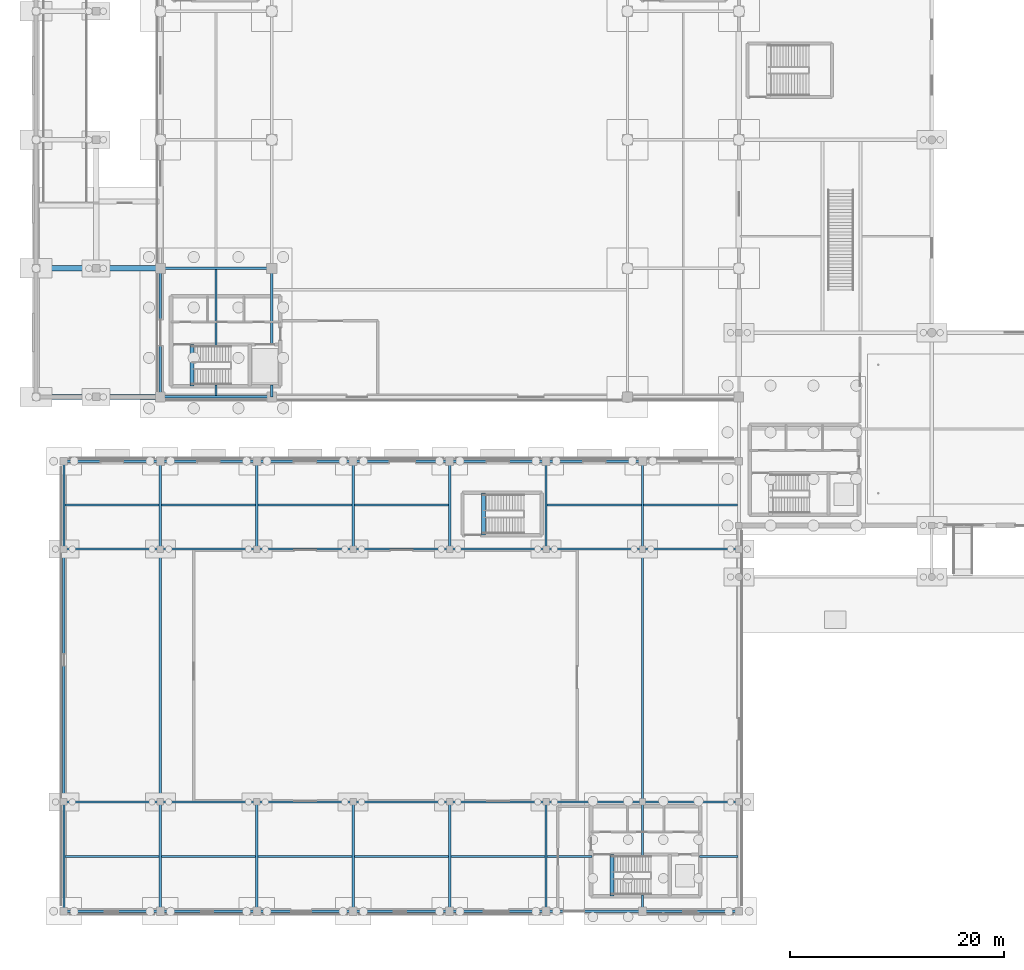
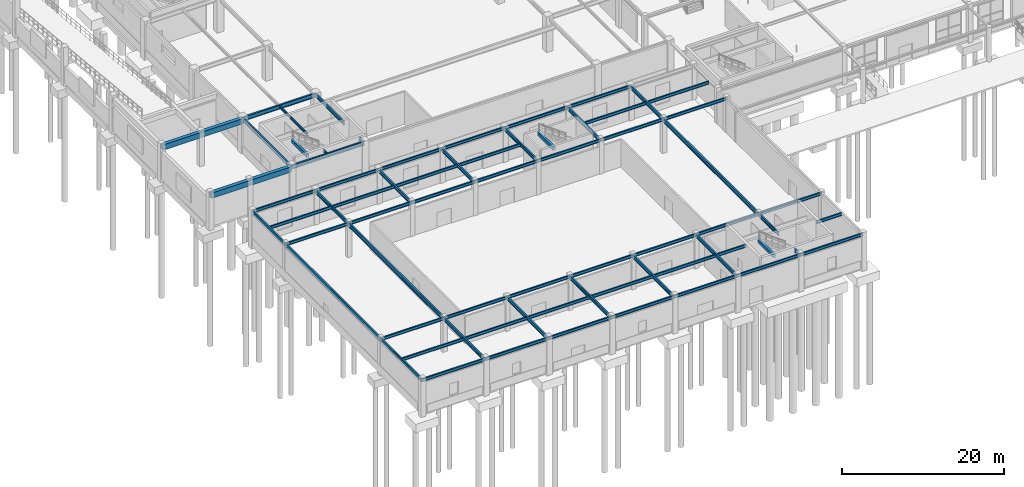
# One storey, part 11 of 53: 70 beams.
"""IFC4 building model written with IfcOpenShell, lengths in metres."""

from ifc_helpers import new_model, si_unit, derived_unit, direction, frame, origin, origin_2d, place, context, subcontext, project, spatial, rectangle, i_section, extrude, material, material_profile, profile_set, type_object, element, save


model = new_model("IFC4")

# Units and contexts
model_context = context("Model", 3, precision=1e-05, world=origin(), true_north=direction((0.0, 1.0)))
body_context = subcontext(model_context, "Body", "Model", "MODEL_VIEW")
ifc_project = project(units=[si_unit("LENGTHUNIT", "METRE"), si_unit("AREAUNIT", "SQUARE_METRE"), si_unit("VOLUMEUNIT", "CUBIC_METRE"), si_unit("PLANEANGLEUNIT", "RADIAN"), si_unit("MASSUNIT", "GRAM", prefix="KILO"), derived_unit("THERMALTRANSMITTANCEUNIT", [(si_unit("POWERUNIT", "WATT"), 1), (si_unit("LENGTHUNIT", "METRE"), -2), (si_unit("THERMODYNAMICTEMPERATUREUNIT", "KELVIN"), -1)])], contexts=[model_context])

# Site, building, storey
site_placement = place(None, origin())
site = spatial("IfcSite", under=ifc_project, at=site_placement, CompositionType="ELEMENT")
building_placement = place(site_placement, origin())
building = spatial("IfcBuilding", under=site, at=building_placement, Name="Almenara Railside Exhibition Hall", CompositionType="ELEMENT")
storey_placement = place(building_placement, origin())
storey = spatial("IfcBuildingStorey", under=building, at=storey_placement, Name="L00", CompositionType="ELEMENT", Elevation=0.0)

# Beams
ifc_material_1 = material(Name="Concrete C35/45", Category="concrete")
ifc_material_profile_1 = material_profile(ifc_material_1, rectangle(XDim=0.5, YDim=0.800048828125, at=origin_2d()), Name="RC 500x800")
ifc_profile_set_1 = profile_set([ifc_material_profile_1], Name="Concrete C35/45")
beam_type_1 = type_object("IfcBeamType", Name="RC Primary Beam 500x800 C35/45", PredefinedType="BEAM", material=ifc_profile_set_1)
for number, where, z_axis, x_axis, name in (
    (1, (0.39990234375, 48.0, 4.6708984375), (1.0, 0.0, 0.0), (0.0, 1.0, 0.0), "Beam 0937"),
    (2, (0.39990234375, 60.0, 4.6708984375), (1.0, 0.0, 0.0), (0.0, 1.0, 0.0), "Beam 0938"),
):
    element("IfcBeam", number, at=place(storey_placement, frame(where, z_axis=z_axis, x_axis=x_axis)), inside=storey, type_object=beam_type_1, Name=name, PredefinedType="BEAM", context=body_context, shape_type="SweptSolid", body=[
        extrude(rectangle(XDim=0.5, YDim=0.800048828125, at=origin_2d()), origin(), (0.0, 0.0, 1.0), 11.60009765625),
    ])
ifc_material_profile_2 = material_profile(ifc_material_1, rectangle(XDim=0.35009765625, YDim=0.5, at=origin_2d()), Name="RC 350x500")
ifc_profile_set_2 = profile_set([ifc_material_profile_2], Name="Concrete C35/45")
beam_type_2 = type_object("IfcBeamType", Name="RC Spandrel Tie Beam 350x500 C35/45", PredefinedType="SPANDREL", material=ifc_profile_set_2)
beam_1_placement = place(storey_placement, frame((14.949951171875, 49.0, 4.889892578125), z_axis=(0.0, 1.0, 0.0), x_axis=(-1.0, 0.0, 0.0)))
element("IfcBeam", 3, at=beam_1_placement, inside=storey, type_object=beam_type_2, Name="Stair trimmer ST-C1-L00", PredefinedType="SPANDREL", context=body_context, shape_type="SweptSolid", body=[
    extrude(rectangle(XDim=0.35009765625, YDim=0.5, at=origin_2d()), origin(), (0.0, 0.0, 1.0), 3.89990234375),
])
beam_2_placement = place(storey_placement, frame((54.14990234375, 1.39990234375, 4.885986328125), z_axis=(0.0, 1.0, 0.0), x_axis=(-1.0, 0.0, 0.0)))
element("IfcBeam", 4, at=beam_2_placement, inside=storey, type_object=beam_type_2, Name="Stair trimmer ST-C7-L00", PredefinedType="SPANDREL", context=body_context, shape_type="SweptSolid", body=[
    extrude(rectangle(XDim=0.35009765625, YDim=0.5, at=origin_2d()), origin(), (0.0, 0.0, 1.0), 3.900146484375),
])
beam_3_placement = place(storey_placement, frame((42.14990234375, 35.10009765625, 4.885986328125), z_axis=(0.0, 1.0, 0.0), x_axis=(-1.0, 0.0, 0.0)))
element("IfcBeam", 5, at=beam_3_placement, inside=storey, type_object=beam_type_2, Name="Stair trimmer HST5-L00", PredefinedType="SPANDREL", context=body_context, shape_type="SweptSolid", body=[
    extrude(rectangle(XDim=0.35009765625, YDim=0.5, at=origin_2d()), origin(), (0.0, 0.0, 1.0), 3.949951171875),
])
ifc_material_2 = material(Name="Structural steel S355JR", Category="steel")
ifc_material_profile_3 = material_profile(ifc_material_2, i_section(OverallWidth=0.18994140625, OverallDepth=0.453369140625, WebThickness=0.008544921875, FlangeThickness=0.0126953125, FilletRadius=0.01025390625, at=origin_2d()), Name="UB 457x191x67")
ifc_profile_set_3 = profile_set([ifc_material_profile_3], Name="Structural steel S355JR")
beam_type_3 = type_object("IfcBeamType", Name="Steel Floor Beam UB 457x191x67 S355JR", PredefinedType="BEAM", material=ifc_profile_set_3)
beam_4_placement = place(storey_placement, frame((3.0, 0.0, 4.9091796875), z_axis=(1.0, 0.0, 0.0), x_axis=(0.0, 1.0, 0.0)))
element("IfcBeam", 6, at=beam_4_placement, inside=storey, type_object=beam_type_3, Name="Beam 0871", PredefinedType="BEAM", context=body_context, shape_type="SweptSolid", body=[
    extrude(i_section(OverallWidth=0.18994140625, OverallDepth=0.453369140625, WebThickness=0.008544921875, FlangeThickness=0.0126953125, FilletRadius=0.01025390625, at=origin_2d()), origin(), (0.0, 0.0, 1.0), 9.0),
])
beam_5_placement = place(storey_placement, frame((3.1044921875, 5.10009765625, 4.9091796875), z_axis=(1.0, 0.0, 0.0), x_axis=(0.0, 1.0, 0.0)))
element("IfcBeam", 7, at=beam_5_placement, inside=storey, type_object=beam_type_3, Name="Beam 0872", PredefinedType="BEAM", context=body_context, shape_type="SweptSolid", body=[
    extrude(i_section(OverallWidth=0.18994140625, OverallDepth=0.453369140625, WebThickness=0.008544921875, FlangeThickness=0.0126953125, FilletRadius=0.01025390625, at=origin_2d()), origin(), (0.0, 0.0, 1.0), 8.791015625),
])
for number, where, z_axis, x_axis, name in (
    (8, (3.0, 10.199951171875, 4.9091796875), (1.0, 0.0, 0.0), (0.0, 1.0, 0.0), "Beam 0873"),
    (9, (3.0, 33.800048828125, 4.9091796875), (1.0, 0.0, 0.0), (0.0, 1.0, 0.0), "Beam 0874"),
):
    element("IfcBeam", number, at=place(storey_placement, frame(where, z_axis=z_axis, x_axis=x_axis)), inside=storey, type_object=beam_type_3, Name=name, PredefinedType="BEAM", context=body_context, shape_type="SweptSolid", body=[
        extrude(i_section(OverallWidth=0.18994140625, OverallDepth=0.453369140625, WebThickness=0.008544921875, FlangeThickness=0.0126953125, FilletRadius=0.01025390625, at=origin_2d()), origin(), (0.0, 0.0, 1.0), 9.0),
    ])
beam_6_placement = place(storey_placement, frame((3.1044921875, 37.89990234375, 4.9091796875), z_axis=(1.0, 0.0, 0.0), x_axis=(0.0, 1.0, 0.0)))
element("IfcBeam", 10, at=beam_6_placement, inside=storey, type_object=beam_type_3, Name="Beam 0875", PredefinedType="BEAM", context=body_context, shape_type="SweptSolid", body=[
    extrude(i_section(OverallWidth=0.18994140625, OverallDepth=0.453369140625, WebThickness=0.008544921875, FlangeThickness=0.0126953125, FilletRadius=0.01025390625, at=origin_2d()), origin(), (0.0, 0.0, 1.0), 8.791015625),
])
for number, where, z_axis, x_axis, name in (
    (11, (3.0, 42.0, 4.9091796875), (1.0, 0.0, 0.0), (0.0, 1.0, 0.0), "Beam 0876"),
    (12, (12.0, 0.0, 4.9091796875), (1.0, 0.0, 0.0), (0.0, 1.0, 0.0), "Beam 0877"),
):
    element("IfcBeam", number, at=place(storey_placement, frame(where, z_axis=z_axis, x_axis=x_axis)), inside=storey, type_object=beam_type_3, Name=name, PredefinedType="BEAM", context=body_context, shape_type="SweptSolid", body=[
        extrude(i_section(OverallWidth=0.18994140625, OverallDepth=0.453369140625, WebThickness=0.008544921875, FlangeThickness=0.0126953125, FilletRadius=0.01025390625, at=origin_2d()), origin(), (0.0, 0.0, 1.0), 9.0),
    ])
beam_7_placement = place(storey_placement, frame((12.1044921875, 5.10009765625, 4.9091796875), z_axis=(1.0, 0.0, 0.0), x_axis=(0.0, 1.0, 0.0)))
element("IfcBeam", 13, at=beam_7_placement, inside=storey, type_object=beam_type_3, Name="Beam 0878", PredefinedType="BEAM", context=body_context, shape_type="SweptSolid", body=[
    extrude(i_section(OverallWidth=0.18994140625, OverallDepth=0.453369140625, WebThickness=0.008544921875, FlangeThickness=0.0126953125, FilletRadius=0.01025390625, at=origin_2d()), origin(), (0.0, 0.0, 1.0), 8.791015625),
])
for number, where, z_axis, x_axis, name in (
    (14, (12.0, 10.199951171875, 4.9091796875), (1.0, 0.0, 0.0), (0.0, 1.0, 0.0), "Beam 0879"),
    (15, (12.0, 33.800048828125, 4.9091796875), (1.0, 0.0, 0.0), (0.0, 1.0, 0.0), "Beam 0880"),
):
    element("IfcBeam", number, at=place(storey_placement, frame(where, z_axis=z_axis, x_axis=x_axis)), inside=storey, type_object=beam_type_3, Name=name, PredefinedType="BEAM", context=body_context, shape_type="SweptSolid", body=[
        extrude(i_section(OverallWidth=0.18994140625, OverallDepth=0.453369140625, WebThickness=0.008544921875, FlangeThickness=0.0126953125, FilletRadius=0.01025390625, at=origin_2d()), origin(), (0.0, 0.0, 1.0), 9.0),
    ])
beam_8_placement = place(storey_placement, frame((12.1044921875, 37.89990234375, 4.9091796875), z_axis=(1.0, 0.0, 0.0), x_axis=(0.0, 1.0, 0.0)))
element("IfcBeam", 16, at=beam_8_placement, inside=storey, type_object=beam_type_3, Name="Beam 0881", PredefinedType="BEAM", context=body_context, shape_type="SweptSolid", body=[
    extrude(i_section(OverallWidth=0.18994140625, OverallDepth=0.453369140625, WebThickness=0.008544921875, FlangeThickness=0.0126953125, FilletRadius=0.01025390625, at=origin_2d()), origin(), (0.0, 0.0, 1.0), 8.791015625),
])
for number, where, z_axis, x_axis, name in (
    (17, (12.0, 42.0, 4.9091796875), (1.0, 0.0, 0.0), (0.0, 1.0, 0.0), "Beam 0882"),
    (18, (21.0, 0.0, 4.9091796875), (1.0, 0.0, 0.0), (0.0, 1.0, 0.0), "Beam 0883"),
):
    element("IfcBeam", number, at=place(storey_placement, frame(where, z_axis=z_axis, x_axis=x_axis)), inside=storey, type_object=beam_type_3, Name=name, PredefinedType="BEAM", context=body_context, shape_type="SweptSolid", body=[
        extrude(i_section(OverallWidth=0.18994140625, OverallDepth=0.453369140625, WebThickness=0.008544921875, FlangeThickness=0.0126953125, FilletRadius=0.01025390625, at=origin_2d()), origin(), (0.0, 0.0, 1.0), 9.0),
    ])
beam_9_placement = place(storey_placement, frame((21.1044921875, 5.10009765625, 4.9091796875), z_axis=(1.0, 0.0, 0.0), x_axis=(0.0, 1.0, 0.0)))
element("IfcBeam", 19, at=beam_9_placement, inside=storey, type_object=beam_type_3, Name="Beam 0884", PredefinedType="BEAM", context=body_context, shape_type="SweptSolid", body=[
    extrude(i_section(OverallWidth=0.18994140625, OverallDepth=0.453369140625, WebThickness=0.008544921875, FlangeThickness=0.0126953125, FilletRadius=0.01025390625, at=origin_2d()), origin(), (0.0, 0.0, 1.0), 8.791015625),
])
for number, where, z_axis, x_axis, name in (
    (20, (21.0, 10.199951171875, 4.9091796875), (1.0, 0.0, 0.0), (0.0, 1.0, 0.0), "Beam 0885"),
    (21, (21.0, 33.800048828125, 4.9091796875), (1.0, 0.0, 0.0), (0.0, 1.0, 0.0), "Beam 0886"),
):
    element("IfcBeam", number, at=place(storey_placement, frame(where, z_axis=z_axis, x_axis=x_axis)), inside=storey, type_object=beam_type_3, Name=name, PredefinedType="BEAM", context=body_context, shape_type="SweptSolid", body=[
        extrude(i_section(OverallWidth=0.18994140625, OverallDepth=0.453369140625, WebThickness=0.008544921875, FlangeThickness=0.0126953125, FilletRadius=0.01025390625, at=origin_2d()), origin(), (0.0, 0.0, 1.0), 9.0),
    ])
beam_10_placement = place(storey_placement, frame((21.1044921875, 37.89990234375, 4.9091796875), z_axis=(1.0, 0.0, 0.0), x_axis=(0.0, 1.0, 0.0)))
element("IfcBeam", 22, at=beam_10_placement, inside=storey, type_object=beam_type_3, Name="Beam 0887", PredefinedType="BEAM", context=body_context, shape_type="SweptSolid", body=[
    extrude(i_section(OverallWidth=0.18994140625, OverallDepth=0.453369140625, WebThickness=0.008544921875, FlangeThickness=0.0126953125, FilletRadius=0.01025390625, at=origin_2d()), origin(), (0.0, 0.0, 1.0), 8.791015625),
])
for number, where, z_axis, x_axis, name in (
    (23, (21.0, 42.0, 4.9091796875), (1.0, 0.0, 0.0), (0.0, 1.0, 0.0), "Beam 0888"),
    (24, (30.0, 0.0, 4.9091796875), (1.0, 0.0, 0.0), (0.0, 1.0, 0.0), "Beam 0889"),
):
    element("IfcBeam", number, at=place(storey_placement, frame(where, z_axis=z_axis, x_axis=x_axis)), inside=storey, type_object=beam_type_3, Name=name, PredefinedType="BEAM", context=body_context, shape_type="SweptSolid", body=[
        extrude(i_section(OverallWidth=0.18994140625, OverallDepth=0.453369140625, WebThickness=0.008544921875, FlangeThickness=0.0126953125, FilletRadius=0.01025390625, at=origin_2d()), origin(), (0.0, 0.0, 1.0), 9.0),
    ])
beam_11_placement = place(storey_placement, frame((30.1044921875, 5.10009765625, 4.9091796875), z_axis=(1.0, 0.0, 0.0), x_axis=(0.0, 1.0, 0.0)))
element("IfcBeam", 25, at=beam_11_placement, inside=storey, type_object=beam_type_3, Name="Beam 0890", PredefinedType="BEAM", context=body_context, shape_type="SweptSolid", body=[
    extrude(i_section(OverallWidth=0.18994140625, OverallDepth=0.453369140625, WebThickness=0.008544921875, FlangeThickness=0.0126953125, FilletRadius=0.01025390625, at=origin_2d()), origin(), (0.0, 0.0, 1.0), 8.791015625),
])
for number, where, z_axis, x_axis, name in (
    (26, (30.0, 10.199951171875, 4.9091796875), (1.0, 0.0, 0.0), (0.0, 1.0, 0.0), "Beam 0891"),
    (27, (30.0, 33.800048828125, 4.9091796875), (1.0, 0.0, 0.0), (0.0, 1.0, 0.0), "Beam 0892"),
):
    element("IfcBeam", number, at=place(storey_placement, frame(where, z_axis=z_axis, x_axis=x_axis)), inside=storey, type_object=beam_type_3, Name=name, PredefinedType="BEAM", context=body_context, shape_type="SweptSolid", body=[
        extrude(i_section(OverallWidth=0.18994140625, OverallDepth=0.453369140625, WebThickness=0.008544921875, FlangeThickness=0.0126953125, FilletRadius=0.01025390625, at=origin_2d()), origin(), (0.0, 0.0, 1.0), 9.0),
    ])
beam_12_placement = place(storey_placement, frame((30.1044921875, 37.89990234375, 4.9091796875), z_axis=(1.0, 0.0, 0.0), x_axis=(0.0, 1.0, 0.0)))
element("IfcBeam", 28, at=beam_12_placement, inside=storey, type_object=beam_type_3, Name="Beam 0893", PredefinedType="BEAM", context=body_context, shape_type="SweptSolid", body=[
    extrude(i_section(OverallWidth=0.18994140625, OverallDepth=0.453369140625, WebThickness=0.008544921875, FlangeThickness=0.0126953125, FilletRadius=0.01025390625, at=origin_2d()), origin(), (0.0, 0.0, 1.0), 8.791015625),
])
for number, where, z_axis, x_axis, name in (
    (29, (30.0, 42.0, 4.9091796875), (1.0, 0.0, 0.0), (0.0, 1.0, 0.0), "Beam 0894"),
    (30, (39.0, 0.0, 4.9091796875), (1.0, 0.0, 0.0), (0.0, 1.0, 0.0), "Beam 0895"),
):
    element("IfcBeam", number, at=place(storey_placement, frame(where, z_axis=z_axis, x_axis=x_axis)), inside=storey, type_object=beam_type_3, Name=name, PredefinedType="BEAM", context=body_context, shape_type="SweptSolid", body=[
        extrude(i_section(OverallWidth=0.18994140625, OverallDepth=0.453369140625, WebThickness=0.008544921875, FlangeThickness=0.0126953125, FilletRadius=0.01025390625, at=origin_2d()), origin(), (0.0, 0.0, 1.0), 9.0),
    ])
beam_13_placement = place(storey_placement, frame((39.1044921875, 5.10009765625, 4.9091796875), z_axis=(1.0, 0.0, 0.0), x_axis=(0.0, 1.0, 0.0)))
element("IfcBeam", 31, at=beam_13_placement, inside=storey, type_object=beam_type_3, Name="Beam 0896", PredefinedType="BEAM", context=body_context, shape_type="SweptSolid", body=[
    extrude(i_section(OverallWidth=0.18994140625, OverallDepth=0.453369140625, WebThickness=0.008544921875, FlangeThickness=0.0126953125, FilletRadius=0.01025390625, at=origin_2d()), origin(), (0.0, 0.0, 1.0), 8.791015625),
])
for number, where, z_axis, x_axis, name in (
    (32, (39.0, 10.199951171875, 4.9091796875), (1.0, 0.0, 0.0), (0.0, 1.0, 0.0), "Beam 0897"),
    (33, (39.0, 33.800048828125, 4.9091796875), (1.0, 0.0, 0.0), (0.0, 1.0, 0.0), "Beam 0898"),
    (34, (39.0, 42.0, 4.9091796875), (1.0, 0.0, 0.0), (0.0, 1.0, 0.0), "Beam 0900"),
    (35, (48.0, 0.0, 4.9091796875), (1.0, 0.0, 0.0), (0.0, 1.0, 0.0), "Beam 0909"),
):
    element("IfcBeam", number, at=place(storey_placement, frame(where, z_axis=z_axis, x_axis=x_axis)), inside=storey, type_object=beam_type_3, Name=name, PredefinedType="BEAM", context=body_context, shape_type="SweptSolid", body=[
        extrude(i_section(OverallWidth=0.18994140625, OverallDepth=0.453369140625, WebThickness=0.008544921875, FlangeThickness=0.0126953125, FilletRadius=0.01025390625, at=origin_2d()), origin(), (0.0, 0.0, 1.0), 9.0),
    ])
beam_14_placement = place(storey_placement, frame((48.1044921875, 5.10009765625, 4.9091796875), z_axis=(1.0, 0.0, 0.0), x_axis=(0.0, 1.0, 0.0)))
element("IfcBeam", 36, at=beam_14_placement, inside=storey, type_object=beam_type_3, Name="Beam 0910", PredefinedType="BEAM", context=body_context, shape_type="SweptSolid", body=[
    extrude(i_section(OverallWidth=0.18994140625, OverallDepth=0.453369140625, WebThickness=0.008544921875, FlangeThickness=0.0126953125, FilletRadius=0.01025390625, at=origin_2d()), origin(), (0.0, 0.0, 1.0), 4.195556640625),
])
for number, where, z_axis, x_axis, name in (
    (37, (48.0, 10.199951171875, 4.9091796875), (1.0, 0.0, 0.0), (0.0, 1.0, 0.0), "Beam 0911"),
    (38, (48.0, 33.800048828125, 4.9091796875), (1.0, 0.0, 0.0), (0.0, 1.0, 0.0), "Beam 0912"),
):
    element("IfcBeam", number, at=place(storey_placement, frame(where, z_axis=z_axis, x_axis=x_axis)), inside=storey, type_object=beam_type_3, Name=name, PredefinedType="BEAM", context=body_context, shape_type="SweptSolid", body=[
        extrude(i_section(OverallWidth=0.18994140625, OverallDepth=0.453369140625, WebThickness=0.008544921875, FlangeThickness=0.0126953125, FilletRadius=0.01025390625, at=origin_2d()), origin(), (0.0, 0.0, 1.0), 9.0),
    ])
beam_15_placement = place(storey_placement, frame((48.1044921875, 37.89990234375, 4.9091796875), z_axis=(1.0, 0.0, 0.0), x_axis=(0.0, 1.0, 0.0)))
element("IfcBeam", 39, at=beam_15_placement, inside=storey, type_object=beam_type_3, Name="Beam 0913", PredefinedType="BEAM", context=body_context, shape_type="SweptSolid", body=[
    extrude(i_section(OverallWidth=0.18994140625, OverallDepth=0.453369140625, WebThickness=0.008544921875, FlangeThickness=0.0126953125, FilletRadius=0.01025390625, at=origin_2d()), origin(), (0.0, 0.0, 1.0), 8.791015625),
])
for number, where, z_axis, x_axis, name in (
    (40, (48.0, 42.0, 4.9091796875), (1.0, 0.0, 0.0), (0.0, 1.0, 0.0), "Beam 0914"),
    (41, (57.0, 0.0, 4.9091796875), (1.0, 0.0, 0.0), (0.0, 1.0, 0.0), "Beam 0923"),
):
    element("IfcBeam", number, at=place(storey_placement, frame(where, z_axis=z_axis, x_axis=x_axis)), inside=storey, type_object=beam_type_3, Name=name, PredefinedType="BEAM", context=body_context, shape_type="SweptSolid", body=[
        extrude(i_section(OverallWidth=0.18994140625, OverallDepth=0.453369140625, WebThickness=0.008544921875, FlangeThickness=0.0126953125, FilletRadius=0.01025390625, at=origin_2d()), origin(), (0.0, 0.0, 1.0), 9.0),
    ])
beam_16_placement = place(storey_placement, frame((62.300048828125, 5.10009765625, 4.9091796875), z_axis=(1.0, 0.0, 0.0), x_axis=(0.0, 1.0, 0.0)))
element("IfcBeam", 42, at=beam_16_placement, inside=storey, type_object=beam_type_3, Name="Beam 0924", PredefinedType="BEAM", context=body_context, shape_type="SweptSolid", body=[
    extrude(i_section(OverallWidth=0.18994140625, OverallDepth=0.453369140625, WebThickness=0.008544921875, FlangeThickness=0.0126953125, FilletRadius=0.01025390625, at=origin_2d()), origin(), (0.0, 0.0, 1.0), 3.59521484375),
])
for number, where, z_axis, x_axis, name in (
    (43, (57.0, 10.199951171875, 4.9091796875), (1.0, 0.0, 0.0), (0.0, 1.0, 0.0), "Beam 0925"),
    (44, (57.0, 33.800048828125, 4.9091796875), (1.0, 0.0, 0.0), (0.0, 1.0, 0.0), "Beam 0926"),
):
    element("IfcBeam", number, at=place(storey_placement, frame(where, z_axis=z_axis, x_axis=x_axis)), inside=storey, type_object=beam_type_3, Name=name, PredefinedType="BEAM", context=body_context, shape_type="SweptSolid", body=[
        extrude(i_section(OverallWidth=0.18994140625, OverallDepth=0.453369140625, WebThickness=0.008544921875, FlangeThickness=0.0126953125, FilletRadius=0.01025390625, at=origin_2d()), origin(), (0.0, 0.0, 1.0), 9.0),
    ])
beam_17_placement = place(storey_placement, frame((57.1044921875, 37.89990234375, 4.9091796875), z_axis=(1.0, 0.0, 0.0), x_axis=(0.0, 1.0, 0.0)))
element("IfcBeam", 45, at=beam_17_placement, inside=storey, type_object=beam_type_3, Name="Beam 0927", PredefinedType="BEAM", context=body_context, shape_type="SweptSolid", body=[
    extrude(i_section(OverallWidth=0.18994140625, OverallDepth=0.453369140625, WebThickness=0.008544921875, FlangeThickness=0.0126953125, FilletRadius=0.01025390625, at=origin_2d()), origin(), (0.0, 0.0, 1.0), 8.74560546875),
])
ifc_material_profile_4 = material_profile(ifc_material_2, i_section(OverallWidth=0.22900390625, OverallDepth=0.6123046875, WebThickness=0.011962890625, FlangeThickness=0.01953125, FilletRadius=0.0126953125, at=origin_2d()), Name="UB 610x229x125")
ifc_profile_set_4 = profile_set([ifc_material_profile_4], Name="Structural steel S355JR")
beam_type_4 = type_object("IfcBeamType", Name="Steel Gallery Girder UB 610x229x125 S355JR", PredefinedType="USERDEFINED", material=ifc_profile_set_4)
for number, where, z_axis, x_axis, name in (
    (46, (12.0, 48.0, 4.833984375), (1.0, 0.0, 0.0), (0.0, 1.0, 0.0), "Beam 0490"),
    (47, (12.0, 60.0, 4.833984375), (1.0, 0.0, 0.0), (0.0, 1.0, 0.0), "Beam 0492"),
):
    element("IfcBeam", number, at=place(storey_placement, frame(where, z_axis=z_axis, x_axis=x_axis)), inside=storey, type_object=beam_type_4, Name=name, ObjectType="GIRDER", PredefinedType="USERDEFINED", context=body_context, shape_type="SweptSolid", body=[
        extrude(i_section(OverallWidth=0.22900390625, OverallDepth=0.6123046875, WebThickness=0.011962890625, FlangeThickness=0.01953125, FilletRadius=0.0126953125, at=origin_2d()), origin(), (0.0, 0.0, 1.0), 10.39990234375),
    ])
for number, where, z_axis, x_axis, name in (
    (48, (3.0, 10.199951171875, 4.829833984375), (0.0, 1.0, 0.0), (-1.0, 0.0, 0.0), "Beam 0847"),
    (49, (12.0, 10.199951171875, 4.829833984375), (0.0, 1.0, 0.0), (-1.0, 0.0, 0.0), "Beam 0850"),
    (50, (57.0, 10.199951171875, 4.829833984375), (0.0, 1.0, 0.0), (-1.0, 0.0, 0.0), "Beam 0864"),
):
    element("IfcBeam", number, at=place(storey_placement, frame(where, z_axis=z_axis, x_axis=x_axis)), inside=storey, type_object=beam_type_4, Name=name, ObjectType="GIRDER", PredefinedType="USERDEFINED", context=body_context, shape_type="SweptSolid", body=[
        extrude(i_section(OverallWidth=0.22900390625, OverallDepth=0.6123046875, WebThickness=0.011962890625, FlangeThickness=0.01953125, FilletRadius=0.0126953125, at=origin_2d()), origin(), (0.0, 0.0, 1.0), 23.60009765625),
    ])
ifc_material_profile_5 = material_profile(ifc_material_2, i_section(OverallWidth=0.172119140625, OverallDepth=0.35791015625, WebThickness=0.008056640625, FlangeThickness=0.012939453125, FilletRadius=0.01025390625, at=origin_2d()), Name="UB 356x171x57")
ifc_profile_set_5 = profile_set([ifc_material_profile_5], Name="Structural steel S355JR")
beam_type_5 = type_object("IfcBeamType", Name="Steel Gallery Joist UB 356x171x57 S355JR", PredefinedType="JOIST", material=ifc_profile_set_5)
beam_18_placement = place(storey_placement, frame((17.199951171875, 48.114501953125, 4.9609375), z_axis=(0.0, 1.0, 0.0), x_axis=(-1.0, 0.0, 0.0)))
element("IfcBeam", 51, at=beam_18_placement, inside=storey, type_object=beam_type_5, Name="Beam 0517", PredefinedType="JOIST", context=body_context, shape_type="SweptSolid", body=[
    extrude(i_section(OverallWidth=0.172119140625, OverallDepth=0.35791015625, WebThickness=0.008056640625, FlangeThickness=0.012939453125, FilletRadius=0.01025390625, at=origin_2d()), origin(), (0.0, 0.0, 1.0), 0.985595703125),
])
beam_19_placement = place(storey_placement, frame((17.199951171875, 52.820068359375, 4.9609375), z_axis=(0.0, 1.0, 0.0), x_axis=(-1.0, 0.0, 0.0)))
element("IfcBeam", 52, at=beam_19_placement, inside=storey, type_object=beam_type_5, Name="Beam 0518", PredefinedType="JOIST", context=body_context, shape_type="SweptSolid", body=[
    extrude(i_section(OverallWidth=0.172119140625, OverallDepth=0.35791015625, WebThickness=0.008056640625, FlangeThickness=0.012939453125, FilletRadius=0.01025390625, at=origin_2d()), origin(), (0.0, 0.0, 1.0), 7.0654296875),
])
ifc_material_profile_6 = material_profile(ifc_material_2, i_section(OverallWidth=0.210693359375, OverallDepth=0.53955078125, WebThickness=0.01171875, FlangeThickness=0.018798828125, FilletRadius=0.0126953125, at=origin_2d()), Name="UB 533x210x109")
ifc_profile_set_6 = profile_set([ifc_material_profile_6], Name="Structural steel S355JR")
beam_type_6 = type_object("IfcBeamType", Name="Steel Heavy Floor Beam UB 533x210x109 S355JR", PredefinedType="BEAM", material=ifc_profile_set_6)
beam_20_placement = place(storey_placement, frame((12.0, 48.0, 4.870361328125), z_axis=(0.0, 1.0, 0.0), x_axis=(-1.0, 0.0, 0.0)))
element("IfcBeam", 53, at=beam_20_placement, inside=storey, type_object=beam_type_6, Name="Beam 0510", PredefinedType="BEAM", context=body_context, shape_type="SweptSolid", body=[
    extrude(i_section(OverallWidth=0.210693359375, OverallDepth=0.53955078125, WebThickness=0.01171875, FlangeThickness=0.018798828125, FilletRadius=0.0126953125, at=origin_2d()), origin(), (0.0, 0.0, 1.0), 12.0),
])
beam_21_placement = place(storey_placement, frame((22.39990234375, 48.0, 4.870361328125), z_axis=(0.0, 1.0, 0.0), x_axis=(-1.0, 0.0, 0.0)))
element("IfcBeam", 54, at=beam_21_placement, inside=storey, type_object=beam_type_6, Name="Beam 0525", PredefinedType="BEAM", context=body_context, shape_type="SweptSolid", body=[
    extrude(i_section(OverallWidth=0.210693359375, OverallDepth=0.53955078125, WebThickness=0.01171875, FlangeThickness=0.018798828125, FilletRadius=0.0126953125, at=origin_2d()), origin(), (0.0, 0.0, 1.0), 1.10009765625),
])
beam_22_placement = place(storey_placement, frame((22.39990234375, 52.820068359375, 4.870361328125), z_axis=(0.0, 1.0, 0.0), x_axis=(-1.0, 0.0, 0.0)))
element("IfcBeam", 55, at=beam_22_placement, inside=storey, type_object=beam_type_6, Name="Beam 0526", PredefinedType="BEAM", context=body_context, shape_type="SweptSolid", body=[
    extrude(i_section(OverallWidth=0.210693359375, OverallDepth=0.53955078125, WebThickness=0.01171875, FlangeThickness=0.018798828125, FilletRadius=0.0126953125, at=origin_2d()), origin(), (0.0, 0.0, 1.0), 7.179931640625),
])
ifc_material_profile_7 = material_profile(ifc_material_2, i_section(OverallWidth=0.209228515625, OverallDepth=0.533203125, WebThickness=0.010009765625, FlangeThickness=0.015625, FilletRadius=0.0126953125, at=origin_2d()), Name="UB 533x210x92")
ifc_profile_set_7 = profile_set([ifc_material_profile_7], Name="Structural steel S355JR")
beam_type_7 = type_object("IfcBeamType", Name="Steel Primary Beam UB 533x210x92 S355JR", PredefinedType="BEAM", material=ifc_profile_set_7)
beam_23_placement = place(storey_placement, frame((3.0, 0.0, 4.869384765625), z_axis=(0.0, 1.0, 0.0), x_axis=(-1.0, 0.0, 0.0)))
element("IfcBeam", 56, at=beam_23_placement, inside=storey, type_object=beam_type_7, Name="Beam 0845", PredefinedType="BEAM", context=body_context, shape_type="SweptSolid", body=[
    extrude(i_section(OverallWidth=0.209228515625, OverallDepth=0.533203125, WebThickness=0.010009765625, FlangeThickness=0.015625, FilletRadius=0.0126953125, at=origin_2d()), origin(), (0.0, 0.0, 1.0), 10.199951171875),
])
beam_24_placement = place(storey_placement, frame((3.0, 33.800048828125, 4.869384765625), z_axis=(0.0, 1.0, 0.0), x_axis=(-1.0, 0.0, 0.0)))
element("IfcBeam", 57, at=beam_24_placement, inside=storey, type_object=beam_type_7, Name="Beam 0846", PredefinedType="BEAM", context=body_context, shape_type="SweptSolid", body=[
    extrude(i_section(OverallWidth=0.209228515625, OverallDepth=0.533203125, WebThickness=0.010009765625, FlangeThickness=0.015625, FilletRadius=0.0126953125, at=origin_2d()), origin(), (0.0, 0.0, 1.0), 8.199951171875),
])
beam_25_placement = place(storey_placement, frame((12.0, 0.0, 4.869384765625), z_axis=(0.0, 1.0, 0.0), x_axis=(-1.0, 0.0, 0.0)))
element("IfcBeam", 58, at=beam_25_placement, inside=storey, type_object=beam_type_7, Name="Beam 0848", PredefinedType="BEAM", context=body_context, shape_type="SweptSolid", body=[
    extrude(i_section(OverallWidth=0.209228515625, OverallDepth=0.533203125, WebThickness=0.010009765625, FlangeThickness=0.015625, FilletRadius=0.0126953125, at=origin_2d()), origin(), (0.0, 0.0, 1.0), 10.199951171875),
])
beam_26_placement = place(storey_placement, frame((12.0, 33.800048828125, 4.869384765625), z_axis=(0.0, 1.0, 0.0), x_axis=(-1.0, 0.0, 0.0)))
element("IfcBeam", 59, at=beam_26_placement, inside=storey, type_object=beam_type_7, Name="Beam 0849", PredefinedType="BEAM", context=body_context, shape_type="SweptSolid", body=[
    extrude(i_section(OverallWidth=0.209228515625, OverallDepth=0.533203125, WebThickness=0.010009765625, FlangeThickness=0.015625, FilletRadius=0.0126953125, at=origin_2d()), origin(), (0.0, 0.0, 1.0), 8.199951171875),
])
beam_27_placement = place(storey_placement, frame((21.0, 0.0, 4.869384765625), z_axis=(0.0, 1.0, 0.0), x_axis=(-1.0, 0.0, 0.0)))
element("IfcBeam", 60, at=beam_27_placement, inside=storey, type_object=beam_type_7, Name="Beam 0851", PredefinedType="BEAM", context=body_context, shape_type="SweptSolid", body=[
    extrude(i_section(OverallWidth=0.209228515625, OverallDepth=0.533203125, WebThickness=0.010009765625, FlangeThickness=0.015625, FilletRadius=0.0126953125, at=origin_2d()), origin(), (0.0, 0.0, 1.0), 10.199951171875),
])
beam_28_placement = place(storey_placement, frame((21.0, 33.800048828125, 4.869384765625), z_axis=(0.0, 1.0, 0.0), x_axis=(-1.0, 0.0, 0.0)))
element("IfcBeam", 61, at=beam_28_placement, inside=storey, type_object=beam_type_7, Name="Beam 0852", PredefinedType="BEAM", context=body_context, shape_type="SweptSolid", body=[
    extrude(i_section(OverallWidth=0.209228515625, OverallDepth=0.533203125, WebThickness=0.010009765625, FlangeThickness=0.015625, FilletRadius=0.0126953125, at=origin_2d()), origin(), (0.0, 0.0, 1.0), 8.199951171875),
])
beam_29_placement = place(storey_placement, frame((30.0, 0.0, 4.869384765625), z_axis=(0.0, 1.0, 0.0), x_axis=(-1.0, 0.0, 0.0)))
element("IfcBeam", 62, at=beam_29_placement, inside=storey, type_object=beam_type_7, Name="Beam 0853", PredefinedType="BEAM", context=body_context, shape_type="SweptSolid", body=[
    extrude(i_section(OverallWidth=0.209228515625, OverallDepth=0.533203125, WebThickness=0.010009765625, FlangeThickness=0.015625, FilletRadius=0.0126953125, at=origin_2d()), origin(), (0.0, 0.0, 1.0), 10.199951171875),
])
beam_30_placement = place(storey_placement, frame((30.0, 33.800048828125, 4.869384765625), z_axis=(0.0, 1.0, 0.0), x_axis=(-1.0, 0.0, 0.0)))
element("IfcBeam", 63, at=beam_30_placement, inside=storey, type_object=beam_type_7, Name="Beam 0854", PredefinedType="BEAM", context=body_context, shape_type="SweptSolid", body=[
    extrude(i_section(OverallWidth=0.209228515625, OverallDepth=0.533203125, WebThickness=0.010009765625, FlangeThickness=0.015625, FilletRadius=0.0126953125, at=origin_2d()), origin(), (0.0, 0.0, 1.0), 8.199951171875),
])
beam_31_placement = place(storey_placement, frame((39.0, 0.0, 4.869384765625), z_axis=(0.0, 1.0, 0.0), x_axis=(-1.0, 0.0, 0.0)))
element("IfcBeam", 64, at=beam_31_placement, inside=storey, type_object=beam_type_7, Name="Beam 0855", PredefinedType="BEAM", context=body_context, shape_type="SweptSolid", body=[
    extrude(i_section(OverallWidth=0.209228515625, OverallDepth=0.533203125, WebThickness=0.010009765625, FlangeThickness=0.015625, FilletRadius=0.0126953125, at=origin_2d()), origin(), (0.0, 0.0, 1.0), 10.199951171875),
])
beam_32_placement = place(storey_placement, frame((39.0, 33.800048828125, 4.869384765625), z_axis=(0.0, 1.0, 0.0), x_axis=(-1.0, 0.0, 0.0)))
element("IfcBeam", 65, at=beam_32_placement, inside=storey, type_object=beam_type_7, Name="Beam 0856", PredefinedType="BEAM", context=body_context, shape_type="SweptSolid", body=[
    extrude(i_section(OverallWidth=0.209228515625, OverallDepth=0.533203125, WebThickness=0.010009765625, FlangeThickness=0.015625, FilletRadius=0.0126953125, at=origin_2d()), origin(), (0.0, 0.0, 1.0), 8.199951171875),
])
beam_33_placement = place(storey_placement, frame((48.0, 0.0, 4.869384765625), z_axis=(0.0, 1.0, 0.0), x_axis=(-1.0, 0.0, 0.0)))
element("IfcBeam", 66, at=beam_33_placement, inside=storey, type_object=beam_type_7, Name="Beam 0858", PredefinedType="BEAM", context=body_context, shape_type="SweptSolid", body=[
    extrude(i_section(OverallWidth=0.209228515625, OverallDepth=0.533203125, WebThickness=0.010009765625, FlangeThickness=0.015625, FilletRadius=0.0126953125, at=origin_2d()), origin(), (0.0, 0.0, 1.0), 10.199951171875),
])
beam_34_placement = place(storey_placement, frame((48.0, 33.800048828125, 4.869384765625), z_axis=(0.0, 1.0, 0.0), x_axis=(-1.0, 0.0, 0.0)))
element("IfcBeam", 67, at=beam_34_placement, inside=storey, type_object=beam_type_7, Name="Beam 0859", PredefinedType="BEAM", context=body_context, shape_type="SweptSolid", body=[
    extrude(i_section(OverallWidth=0.209228515625, OverallDepth=0.533203125, WebThickness=0.010009765625, FlangeThickness=0.015625, FilletRadius=0.0126953125, at=origin_2d()), origin(), (0.0, 0.0, 1.0), 8.199951171875),
])
beam_35_placement = place(storey_placement, frame((57.0, 0.0, 4.869384765625), z_axis=(0.0, 1.0, 0.0), x_axis=(-1.0, 0.0, 0.0)))
element("IfcBeam", 68, at=beam_35_placement, inside=storey, type_object=beam_type_7, Name="Beam 0861", PredefinedType="BEAM", context=body_context, shape_type="SweptSolid", body=[
    extrude(i_section(OverallWidth=0.209228515625, OverallDepth=0.533203125, WebThickness=0.010009765625, FlangeThickness=0.015625, FilletRadius=0.0126953125, at=origin_2d()), origin(), (0.0, 0.0, 1.0), 1.5),
])
beam_36_placement = place(storey_placement, frame((57.0, 5.219970703125, 4.869384765625), z_axis=(0.0, 1.0, 0.0), x_axis=(-1.0, 0.0, 0.0)))
element("IfcBeam", 69, at=beam_36_placement, inside=storey, type_object=beam_type_7, Name="Beam 0862", PredefinedType="BEAM", context=body_context, shape_type="SweptSolid", body=[
    extrude(i_section(OverallWidth=0.209228515625, OverallDepth=0.533203125, WebThickness=0.010009765625, FlangeThickness=0.015625, FilletRadius=0.0126953125, at=origin_2d()), origin(), (0.0, 0.0, 1.0), 4.97998046875),
])
beam_37_placement = place(storey_placement, frame((57.0, 33.800048828125, 4.869384765625), z_axis=(0.0, 1.0, 0.0), x_axis=(-1.0, 0.0, 0.0)))
element("IfcBeam", 70, at=beam_37_placement, inside=storey, type_object=beam_type_7, Name="Beam 0863", PredefinedType="BEAM", context=body_context, shape_type="SweptSolid", body=[
    extrude(i_section(OverallWidth=0.209228515625, OverallDepth=0.533203125, WebThickness=0.010009765625, FlangeThickness=0.015625, FilletRadius=0.0126953125, at=origin_2d()), origin(), (0.0, 0.0, 1.0), 8.199951171875),
])

save(model, "model.ifc")
